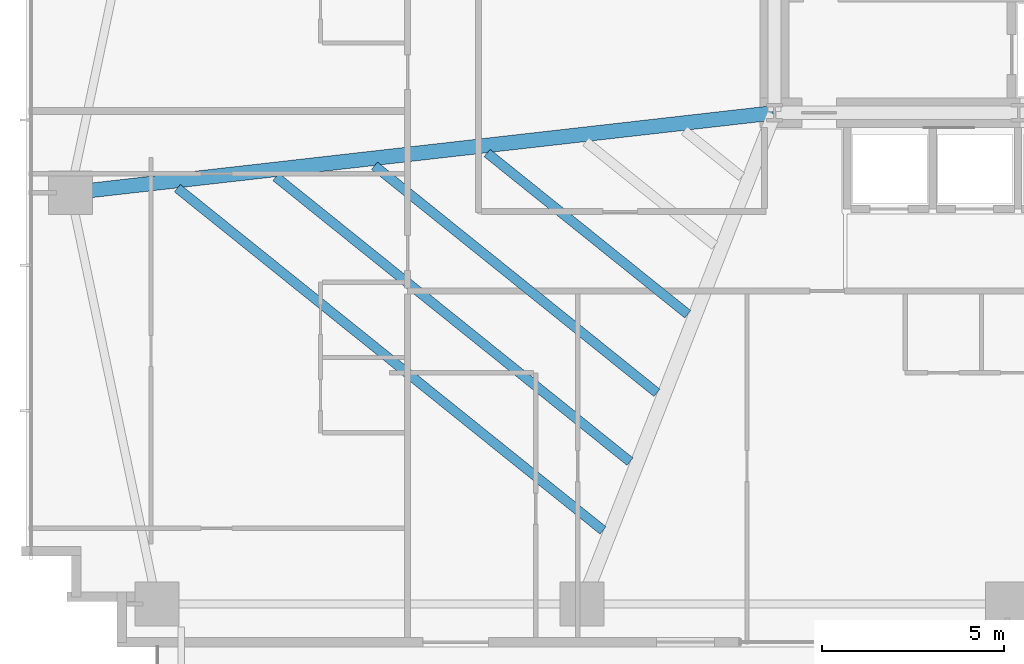
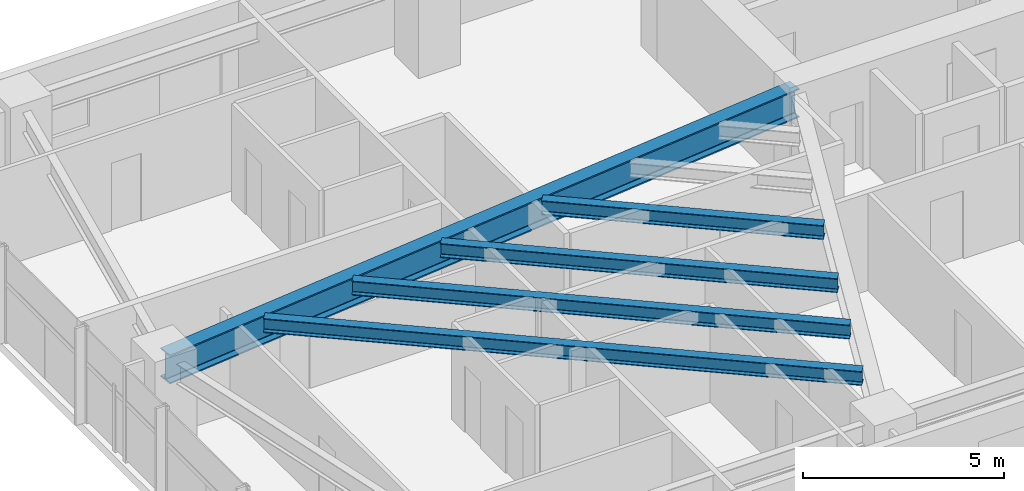
# One storey, part 5 of 25: 5 beams.
"""IFC4 building model written with IfcOpenShell, lengths in metres."""

from ifc_helpers import new_model, si_unit, direction, frame, origin, origin_2d, place, context, subcontext, project, spatial, i_section, extrude, source, transform, mapped, material, material_profile, profile_set, type_object, type_shapes, element, save


model = new_model("IFC4")

# Units and contexts
model_context = context("Model", 3, precision=1e-05, world=origin(), true_north=direction((0.0, 1.0)))
body_context = subcontext(model_context, "Body", "Model", "MODEL_VIEW")
ifc_project = project(units=[si_unit("LENGTHUNIT", "METRE"), si_unit("AREAUNIT", "SQUARE_METRE"), si_unit("VOLUMEUNIT", "CUBIC_METRE"), si_unit("PLANEANGLEUNIT", "RADIAN"), si_unit("MASSUNIT", "GRAM", prefix="KILO")], contexts=[model_context])

# Site, building, storey
site_placement = place(None, origin())
site = spatial("IfcSite", under=ifc_project, at=site_placement, CompositionType="ELEMENT")
building_placement = place(site_placement, origin())
building = spatial("IfcBuilding", under=site, at=building_placement, Name="Astriad Promenade Condominiums", CompositionType="ELEMENT")
storey_placement = place(building_placement, frame((0.0, 0.0, 32.60009765625)))
storey = spatial("IfcBuildingStorey", under=building, at=storey_placement, Name="L08", CompositionType="ELEMENT", Elevation=32.60009765625)

# Beams
ifc_material = material(Name="Steel ASTM A992 Grade 50", Category="steel")
ifc_material_profile_1 = material_profile(ifc_material, i_section(OverallWidth=0.4013671875, OverallDepth=0.877197265625, WebThickness=0.022216796875, FlangeThickness=0.039794921875, FilletRadius=0.02294921875, at=origin_2d()), Name="W33X263")
ifc_profile_set_1 = profile_set([ifc_material_profile_1], Name="Steel ASTM A992 Grade 50")
beam_type_1 = type_object("IfcBeamType", Name="STEEL PRIMARY GIRDER W33X263", PredefinedType="BEAM", material=ifc_profile_set_1)
shared_shape_1 = source(origin(), body_context, "Body", "SweptSolid", [
    extrude(i_section(OverallWidth=0.4013671875, OverallDepth=0.877197265625, WebThickness=0.022216796875, FlangeThickness=0.039794921875, FilletRadius=0.02294921875, at=origin_2d()), origin(), (0.0, 0.0, 1.0), 19.424560546875),
])
type_shapes(beam_type_1, [shared_shape_1])
beam_1_placement = place(storey_placement, frame((7.059814453125, 15.20458984375, 2.501220703125), z_axis=(0.993618675315, 0.11279152479, 0.0), x_axis=(-0.11279152479, 0.993618675315, 0.0)))
element("IfcBeam", 1, at=beam_1_placement, inside=storey, type_object=beam_type_1, Name="Primary Floor Girder PG-WM-L08", PredefinedType="BEAM", context=body_context, shape_type="MappedRepresentation", body=[
    mapped(shared_shape_1, transform((0.0, 0.0, 0.0), scale=1.0)),
])
ifc_material_profile_2 = material_profile(ifc_material, i_section(OverallWidth=0.26318359375, OverallDepth=0.425537109375, WebThickness=0.01318359375, FlangeThickness=0.022216796875, FilletRadius=0.013916015625, at=origin_2d()), Name="W16X89")
ifc_profile_set_2 = profile_set([ifc_material_profile_2], Name="Steel ASTM A992 Grade 50")
beam_type_2 = type_object("IfcBeamType", Name="STEEL FLOOR JOIST W16X89", PredefinedType="JOIST", material=ifc_profile_set_2)
shared_shape_2 = source(origin(), body_context, "Body", "SweptSolid", [
    extrude(i_section(OverallWidth=0.26318359375, OverallDepth=0.425537109375, WebThickness=0.01318359375, FlangeThickness=0.022216796875, FilletRadius=0.013916015625, at=origin_2d()), origin(), (0.0, 0.0, 1.0), 15.033447265625),
])
beam_2_placement = place(storey_placement, frame((9.961181640625, 15.32470703125, 2.72705078125), z_axis=(0.779353434302, -0.626584570862, 0.0), x_axis=(0.626584570862, 0.779353434302, 0.0)))
element("IfcBeam", 2, at=beam_2_placement, inside=storey, type_object=beam_type_2, Name="Secondary Composite Floor Joist JW1-1-L08", PredefinedType="JOIST", context=body_context, shape_type="MappedRepresentation", body=[
    mapped(shared_shape_2, transform((0.0, 0.0, 0.0), scale=1.0)),
])
shared_shape_3 = source(origin(), body_context, "Body", "SweptSolid", [
    extrude(i_section(OverallWidth=0.26318359375, OverallDepth=0.425537109375, WebThickness=0.01318359375, FlangeThickness=0.022216796875, FilletRadius=0.013916015625, at=origin_2d()), origin(), (0.0, 0.0, 1.0), 12.50439453125),
])
beam_3_placement = place(storey_placement, frame((12.67431640625, 15.6328125, 2.72705078125), z_axis=(0.77935791062, -0.626579003122, 0.0), x_axis=(0.626579003122, 0.77935791062, 0.0)))
element("IfcBeam", 3, at=beam_3_placement, inside=storey, type_object=beam_type_2, Name="Secondary Composite Floor Joist JW1-2-L08", PredefinedType="JOIST", context=body_context, shape_type="MappedRepresentation", body=[
    mapped(shared_shape_3, transform((0.0, 0.0, 0.0), scale=1.0)),
])
shared_shape_4 = source(origin(), body_context, "Body", "SweptSolid", [
    extrude(i_section(OverallWidth=0.26318359375, OverallDepth=0.425537109375, WebThickness=0.01318359375, FlangeThickness=0.022216796875, FilletRadius=0.013916015625, at=origin_2d()), origin(), (0.0, 0.0, 1.0), 9.97509765625),
])
beam_4_placement = place(storey_placement, frame((15.387451171875, 15.94091796875, 2.72705078125), z_axis=(0.779355047887, -0.626582563859, 0.0), x_axis=(0.626582563859, 0.779355047887, 0.0)))
element("IfcBeam", 4, at=beam_4_placement, inside=storey, type_object=beam_type_2, Name="Secondary Composite Floor Joist JW1-3-L08", PredefinedType="JOIST", context=body_context, shape_type="MappedRepresentation", body=[
    mapped(shared_shape_4, transform((0.0, 0.0, 0.0), scale=1.0)),
])
shared_shape_5 = source(origin(), body_context, "Body", "SweptSolid", [
    extrude(i_section(OverallWidth=0.26318359375, OverallDepth=0.425537109375, WebThickness=0.01318359375, FlangeThickness=0.022216796875, FilletRadius=0.013916015625, at=origin_2d()), origin(), (0.0, 0.0, 1.0), 7.08447265625),
])
type_shapes(beam_type_2, [shared_shape_2, shared_shape_3, shared_shape_4, shared_shape_5])
beam_5_placement = place(storey_placement, frame((18.48828125, 16.292724609375, 2.72705078125), z_axis=(0.779353562297, -0.62658441166, 0.0), x_axis=(0.62658441166, 0.779353562297, 0.0)))
element("IfcBeam", 5, at=beam_5_placement, inside=storey, type_object=beam_type_2, Name="Secondary Composite Floor Joist JW1-4-L08", PredefinedType="JOIST", context=body_context, shape_type="MappedRepresentation", body=[
    mapped(shared_shape_5, transform((0.0, 0.0, 0.0), scale=1.0)),
])

save(model, "model.ifc")
